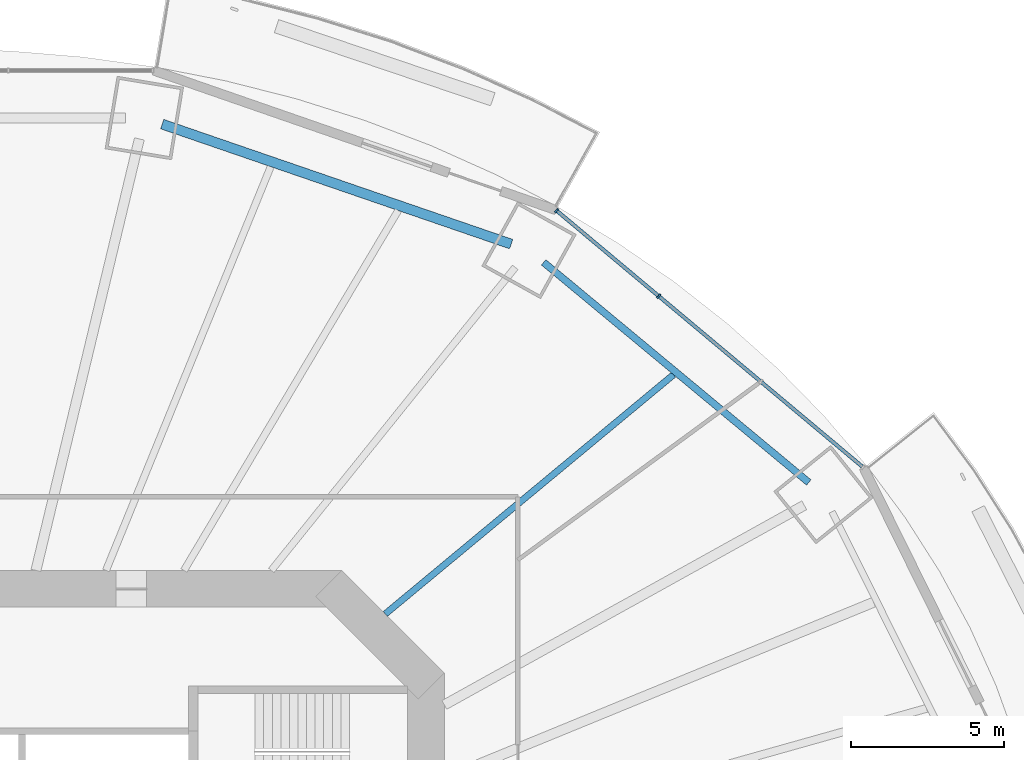
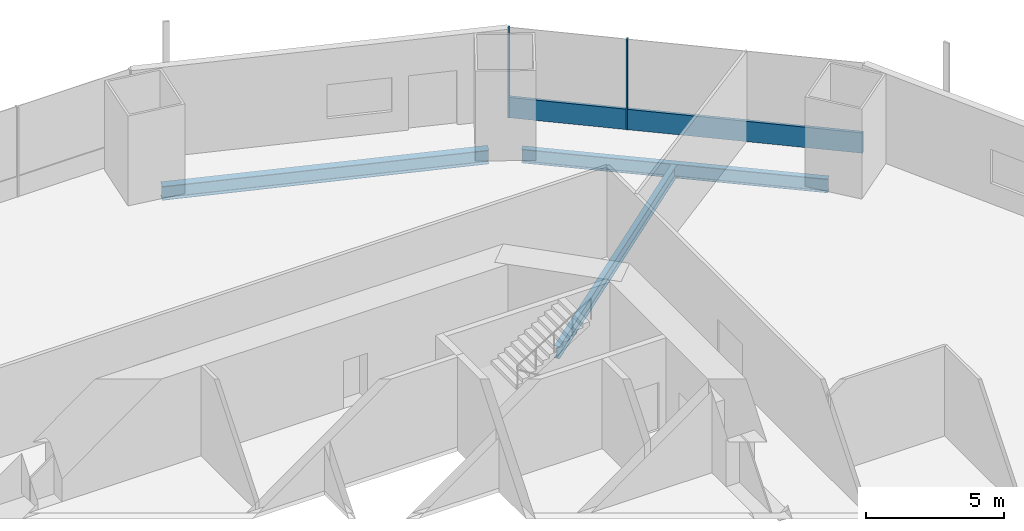
# One storey, part 10 of 23: 3 beams, 3 members, 1 element without a shape of its own.
"""IFC4 building model written with IfcOpenShell, lengths in metres."""

from ifc_helpers import new_model, si_unit, direction, frame, origin, origin_2d, place, context, subcontext, project, spatial, rectangle, i_section, extrude, material, material_profile, profile_set, type_object, element, aggregate, save


model = new_model("IFC4")

# Units and contexts
model_context = context("Model", 3, precision=1e-05, world=origin(), true_north=direction((0.0, 1.0)))
body_context = subcontext(model_context, "Body", "Model", "MODEL_VIEW")
ifc_project = project(units=[si_unit("LENGTHUNIT", "METRE"), si_unit("AREAUNIT", "SQUARE_METRE"), si_unit("VOLUMEUNIT", "CUBIC_METRE"), si_unit("PLANEANGLEUNIT", "RADIAN"), si_unit("MASSUNIT", "GRAM", prefix="KILO")], contexts=[model_context])

# Site, building, storey
site_placement = place(None, origin())
site = spatial("IfcSite", under=ifc_project, at=site_placement, CompositionType="ELEMENT")
building_placement = place(site_placement, origin())
building = spatial("IfcBuilding", under=site, at=building_placement, Name="Marenthal Gate Tower", CompositionType="ELEMENT")
storey_placement = place(building_placement, frame((0.0, 0.0, 49.60009765625)))
storey = spatial("IfcBuildingStorey", under=building, at=storey_placement, Name="L08", CompositionType="ELEMENT", Elevation=49.60009765625)

# Curtain wall, members
ifc_material_1 = material(Name="Aluminium and glass", Category="aluminium")
curtain_wall_type = type_object("IfcCurtainWallType", Name="Curtain wall typical low", PredefinedType="NOTDEFINED", material=ifc_material_1)
curtain_wall_placement = place(storey_placement, origin())
curtain_wall = element("IfcCurtainWall", 1, at=curtain_wall_placement, inside=storey, type_object=curtain_wall_type, Name="Curtain wall L08 bay 2", PredefinedType="NOTDEFINED")
ifc_material_2 = material(Name="Aluminium", Category="aluminium")
ifc_material_profile_1 = material_profile(ifc_material_2, rectangle(XDim=0.159912109375, YDim=0.06005859375, at=origin_2d()), Name="60x160 aluminium mullion")
ifc_profile_set_1 = profile_set([ifc_material_profile_1], Name="Aluminium")
member_type_1 = type_object("IfcMemberType", Name="Mullion 60x160 typical low", PredefinedType="MULLION", material=ifc_profile_set_1)
member_1_placement = place(storey_placement, frame((23.6025390625, 22.5595703125, 0.0), z_axis=(0.0, 0.0, 1.0), x_axis=(-0.642047277641, -0.766665046336, 0.0)))
member_1 = element("IfcMember", 2, at=member_1_placement, type_object=member_type_1, Name="Mullion L08 bay 2.3", PredefinedType="MULLION", context=body_context, shape_type="SweptSolid", body=[
    extrude(rectangle(XDim=0.159912109375, YDim=0.06005859375, at=origin_2d()), origin(), (0.0, 0.0, 1.0), 3.969970703125),
])
member_2_placement = place(storey_placement, frame((20.266845703125, 25.35302734375, 0.0), z_axis=(0.0, 0.0, 1.0), x_axis=(-0.642047277641, -0.766665046336, 0.0)))
member_2 = element("IfcMember", 3, at=member_2_placement, type_object=member_type_1, Name="Mullion L08 bay 2.4", PredefinedType="MULLION", context=body_context, shape_type="SweptSolid", body=[
    extrude(rectangle(XDim=0.159912109375, YDim=0.06005859375, at=origin_2d()), origin(), (0.0, 0.0, 1.0), 3.969970703125),
])
ifc_material_3 = material(Name="Aluminium", Category="aluminium")
ifc_material_profile_2 = material_profile(ifc_material_3, rectangle(XDim=0.1201171875, YDim=0.89990234375, at=origin_2d()), Name="120x900 aluminium transom")
ifc_profile_set_2 = profile_set([ifc_material_profile_2], Name="Aluminium")
member_type_2 = type_object("IfcMemberType", Name="Transom 120x900 typical low", PredefinedType="USERDEFINED", material=ifc_profile_set_2)
member_3_placement = place(storey_placement, frame((30.251220703125, 16.99169921875, 0.449951171875), z_axis=(-0.766672707648, 0.6420381292, 0.0), x_axis=(-0.6420381292, -0.766672707648, 0.0)))
member_3 = element("IfcMember", 4, at=member_3_placement, type_object=member_type_2, Name="Transom L08 bay 2", ObjectType="TRANSOM", PredefinedType="USERDEFINED", context=body_context, shape_type="SweptSolid", body=[
    extrude(rectangle(XDim=0.1201171875, YDim=0.89990234375, at=origin_2d()), origin(), (0.0, 0.0, 1.0), 12.9931640625),
])
aggregate(curtain_wall, [member_1, member_2, member_3])

# Beams
ifc_material_4 = material(Name="Steel S355", Category="steel")
ifc_material_profile_3 = material_profile(ifc_material_4, i_section(OverallWidth=0.2119140625, OverallDepth=0.5439453125, WebThickness=0.01318359375, FlangeThickness=0.021240234375, FilletRadius=0.0126953125, at=origin_2d()), Name="W530X123")
ifc_profile_set_3 = profile_set([ifc_material_profile_3], Name="Steel S355")
beam_type_1 = type_object("IfcBeamType", Name="W530X123 beam", PredefinedType="BEAM", material=ifc_profile_set_3)
beam_1_placement = place(storey_placement, frame((24.085205078125, 19.99267578125, -0.4521484375), z_axis=(-0.769446518411, -0.638711245639, 0.0), x_axis=(0.638711245639, -0.769446518411, 0.0)))
element("IfcBeam", 5, at=beam_1_placement, inside=storey, type_object=beam_type_1, Name="BM-L08-19", PredefinedType="BEAM", context=body_context, shape_type="SweptSolid", body=[
    extrude(i_section(OverallWidth=0.2119140625, OverallDepth=0.5439453125, WebThickness=0.01318359375, FlangeThickness=0.021240234375, FilletRadius=0.0126953125, at=origin_2d()), origin(), (0.0, 0.0, 1.0), 12.235595703125),
])
ifc_material_5 = material(Name="Steel S355", Category="steel")
ifc_material_profile_4 = material_profile(ifc_material_5, i_section(OverallWidth=0.22900390625, OverallDepth=0.612060546875, WebThickness=0.011962890625, FlangeThickness=0.01953125, FilletRadius=0.0126953125, at=origin_2d()), Name="W610X125")
ifc_profile_set_4 = profile_set([ifc_material_profile_4], Name="Steel S355")
beam_type_2 = type_object("IfcBeamType", Name="W610X125 beam", PredefinedType="BEAM", material=ifc_profile_set_4)
beam_2_placement = place(storey_placement, frame((28.50439453125, 16.472900390625, -0.486083984375), z_axis=(-0.76943582663, 0.638724125658, 0.0), x_axis=(-0.638724125658, -0.76943582663, 0.0)))
element("IfcBeam", 6, at=beam_2_placement, inside=storey, type_object=beam_type_2, Name="BM-L08-42", PredefinedType="BEAM", context=body_context, shape_type="SweptSolid", body=[
    extrude(i_section(OverallWidth=0.22900390625, OverallDepth=0.612060546875, WebThickness=0.011962890625, FlangeThickness=0.01953125, FilletRadius=0.0126953125, at=origin_2d()), origin(), (0.0, 0.0, 1.0), 11.257080078125),
])
ifc_material_6 = material(Name="Steel S355", Category="steel")
ifc_material_profile_5 = material_profile(ifc_material_6, i_section(OverallWidth=0.324951171875, OverallDepth=0.612060546875, WebThickness=0.0126953125, FlangeThickness=0.01904296875, FilletRadius=0.0126953125, at=origin_2d()), Name="W610X155")
ifc_profile_set_5 = profile_set([ifc_material_profile_5], Name="Steel S355")
beam_type_3 = type_object("IfcBeamType", Name="W610X155 beam", PredefinedType="BEAM", material=ifc_profile_set_5)
beam_3_placement = place(storey_placement, frame((18.782470703125, 24.25927734375, -0.486083984375), z_axis=(-0.945659940371, 0.325157311431, 0.0), x_axis=(-0.325157311431, -0.945659940371, 0.0)))
element("IfcBeam", 7, at=beam_3_placement, inside=storey, type_object=beam_type_3, Name="BM-L08-43", PredefinedType="BEAM", context=body_context, shape_type="SweptSolid", body=[
    extrude(i_section(OverallWidth=0.324951171875, OverallDepth=0.612060546875, WebThickness=0.0126953125, FlangeThickness=0.01904296875, FilletRadius=0.0126953125, at=origin_2d()), origin(), (0.0, 0.0, 1.0), 12.0546875),
])

save(model, "model.ifc")
